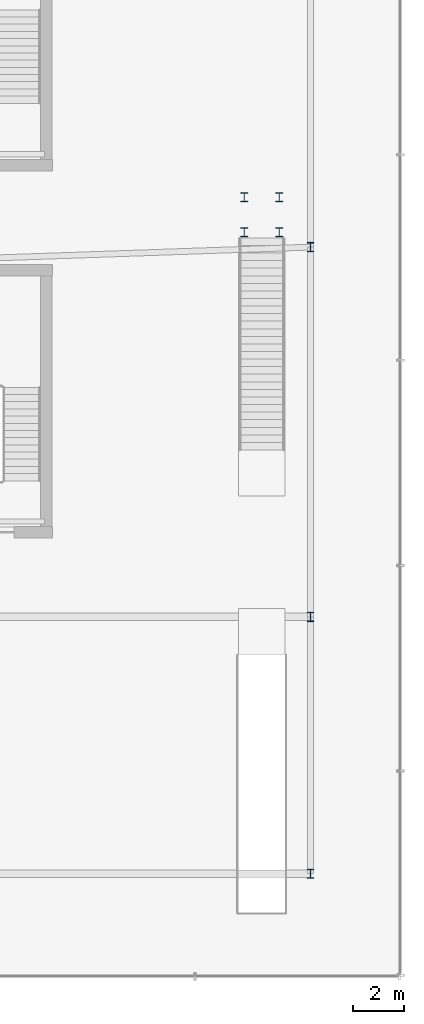
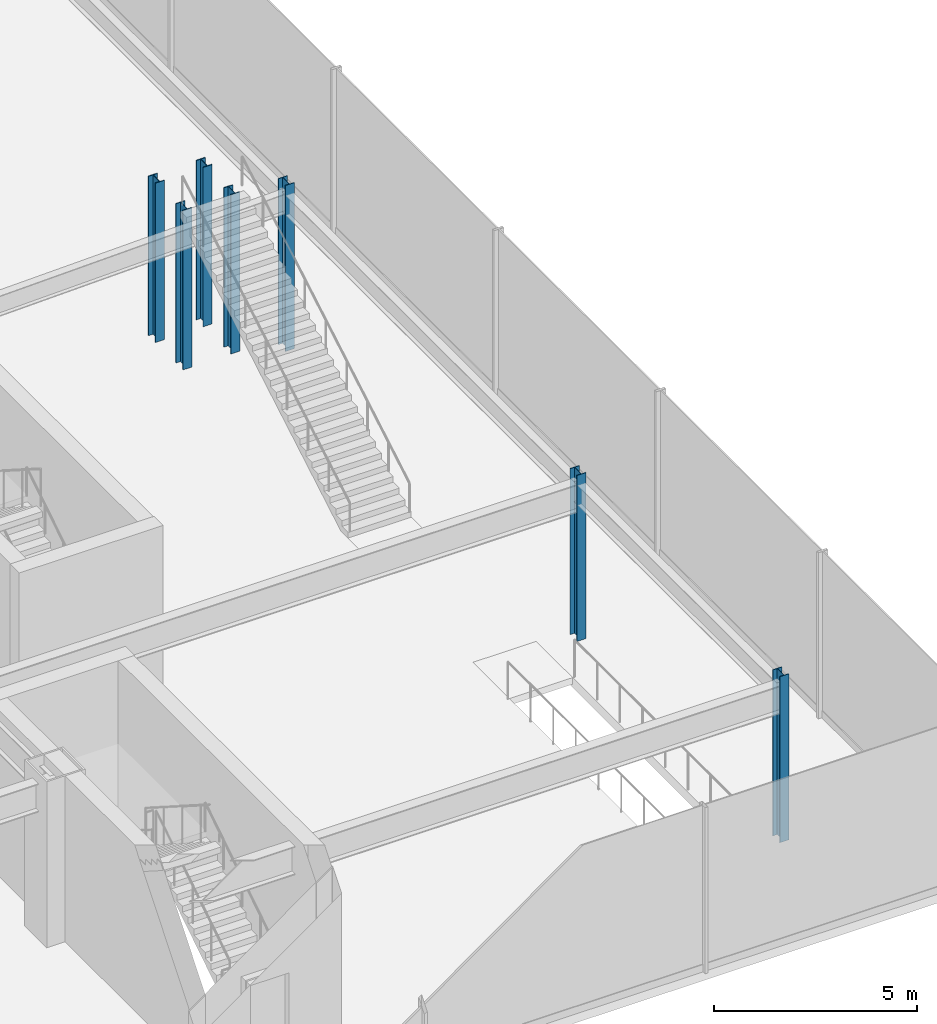
# One storey, part 4 of 40: 7 columns.
"""IFC4 building model written with IfcOpenShell, lengths in metres."""

import ifcopenshell
import ifcopenshell.guid

model = None  # the IFC model being written
_history = None  # IfcOwnerHistory: only IFC2X3 demands one
_inside = {}  # id of a spatial element -> (the spatial element, [elements in it])
_under = {}  # id of a project, library or spatial element -> (it, [spatial elements below it])
_declared = {}  # id of a project -> (the project, [libraries it declares])
_typed = {}  # id of a type object -> (the type object, [elements of that type])
_made_of = {}  # id of a material, layer set ... -> (it, [elements and type objects made of it])


def new_model(schema):
    """Start an empty IFC model of exactly this schema.

    Asked for "IFC4X3", IfcOpenShell would pick the latest addendum, in which some entities
    have other attributes; the version numbers below select the first issue.
    IFC2X3 requires an IfcOwnerHistory on every rooted entity: one is made here for all.
    """
    global model, _history
    if schema == "IFC4X3":
        model = ifcopenshell.file(schema_version=(4, 3, 0, 0))
    else:
        model = ifcopenshell.file(schema=schema)
    _inside.clear()
    _under.clear()
    _declared.clear()
    _typed.clear()
    _made_of.clear()
    _history = None
    if model.schema == "IFC2X3":
        org = make("IfcOrganization", Name="unknown")
        user = make(
            "IfcPersonAndOrganization",
            ThePerson=make("IfcPerson", FamilyName="unknown"),
            TheOrganization=org,
        )
        app = make(
            "IfcApplication",
            ApplicationDeveloper=org,
            Version="unknown",
            ApplicationFullName="unknown",
            ApplicationIdentifier="unknown",
        )
        _history = make(
            "IfcOwnerHistory",
            OwningUser=user,
            OwningApplication=app,
            ChangeAction="ADDED",
            CreationDate=0,
        )
    return model


def make(cls, **values):
    """One entity of the class cls with the attributes given. An attribute that is None is left unset."""
    return model.create_entity(
        cls, **{name: value for name, value in values.items() if value is not None}
    )


def rooted(cls, **values):
    """An entity with a GlobalId (a new one), such as an element, a storey or a relation."""
    return make(cls, GlobalId=ifcopenshell.guid.new(), OwnerHistory=_history, **values)


def si_unit(unit_type, name, prefix=None):
    """IfcSIUnit, for example si_unit("LENGTHUNIT", "METRE", prefix="MILLI")."""
    return make("IfcSIUnit", UnitType=unit_type, Prefix=prefix, Name=name)


def derived_unit(unit_type, elements):
    """IfcDerivedUnit: a product of units, each with its exponent."""
    return make(
        "IfcDerivedUnit",
        Elements=[
            make("IfcDerivedUnitElement", Unit=unit, Exponent=power)
            for unit, power in elements
        ],
        UnitType=unit_type,
    )


def assignment(units):
    """IfcUnitAssignment: the units of a project."""
    return None if units is None else make("IfcUnitAssignment", Units=units)


def point(xyz):
    """IfcCartesianPoint."""
    return None if xyz is None else make("IfcCartesianPoint", Coordinates=xyz)


def direction(xyz):
    """IfcDirection."""
    return None if xyz is None else make("IfcDirection", DirectionRatios=xyz)


def frame(location, z_axis=None, x_axis=None):
    """IfcAxis2Placement3D, a coordinate frame: its origin and axes. An axis left out is left unset."""
    return make(
        "IfcAxis2Placement3D",
        Location=point(location),
        Axis=direction(z_axis),
        RefDirection=direction(x_axis),
    )


def frame_2d(location, x_axis=None):
    """IfcAxis2Placement2D, a coordinate frame in the plane: its origin and x axis."""
    return make(
        "IfcAxis2Placement2D", Location=point(location), RefDirection=direction(x_axis)
    )


def origin():
    """The frame at (0, 0, 0) with its axes left unset."""
    return frame((0.0, 0.0, 0.0))


def origin_2d():
    """The frame at (0, 0) in the plane with its x axis left unset."""
    return frame_2d((0.0, 0.0))


def place(relative_to, where):
    """IfcLocalPlacement: puts the frame where relative to a parent placement (None: the world)."""
    return make(
        "IfcLocalPlacement", PlacementRelTo=relative_to, RelativePlacement=where
    )


def context(
    kind, dimensions, precision=None, world=None, true_north=None, identifier=None
):
    """IfcGeometricRepresentationContext, for example the 3D "Model" context."""
    return make(
        "IfcGeometricRepresentationContext",
        ContextIdentifier=identifier,
        ContextType=kind,
        CoordinateSpaceDimension=dimensions,
        Precision=precision,
        WorldCoordinateSystem=world,
        TrueNorth=true_north,
    )


def subcontext(parent, identifier, kind, view, scale=None):
    """IfcGeometricRepresentationSubContext, for example "Body" below "Model"."""
    return make(
        "IfcGeometricRepresentationSubContext",
        ContextIdentifier=identifier,
        ContextType=kind,
        ParentContext=parent,
        TargetScale=scale,
        TargetView=view,
    )


def project(units=None, contexts=None):
    """IfcProject with its units and contexts."""
    return rooted(
        "IfcProject",
        Name="project",
        RepresentationContexts=contexts,
        UnitsInContext=assignment(units),
    )


def spatial(cls, under=None, at=None, **own):
    """A site, building, storey or space (cls), placed at a placement, below another one or the project."""
    s = rooted(cls, ObjectPlacement=at, **own)
    if under is not None:
        _under.setdefault(under.id(), (under, []))[1].append(s)
    return s


def profile(cls, at=None, kind="AREA", **sizes):
    """A parametric profile (cls). Its sizes go by their IFC names, for example OverallWidth=200.0."""
    return make(cls, ProfileType=kind, Position=at, **sizes)


def i_section(**sizes):
    """IfcIShapeProfileDef."""
    return profile("IfcIShapeProfileDef", **sizes)


def extrude(swept, where, along, depth):
    """IfcExtrudedAreaSolid: the profile swept, set in the frame where, extruded along a direction by depth."""
    return make(
        "IfcExtrudedAreaSolid",
        SweptArea=swept,
        Position=where,
        ExtrudedDirection=direction(along),
        Depth=depth,
    )


def shape(context_of_items, identifier, shape_type, items):
    """IfcShapeRepresentation: the items that make up one representation, for example the "Body"."""
    return make(
        "IfcShapeRepresentation",
        ContextOfItems=context_of_items,
        RepresentationIdentifier=identifier,
        RepresentationType=shape_type,
        Items=items,
    )


def source(mapping_origin, context_of_items, identifier, shape_type, items):
    """IfcRepresentationMap: a shape defined once, which mapped items show again and again."""
    return make(
        "IfcRepresentationMap",
        MappingOrigin=mapping_origin,
        MappedRepresentation=shape(context_of_items, identifier, shape_type, items),
    )


def transform(
    local_origin,
    x_axis=None,
    y_axis=None,
    z_axis=None,
    scale=None,
    scale2=None,
    scale3=None,
    uniform=True,
):
    """IfcCartesianTransformationOperator3D, or its non-uniform kind. x_axis, y_axis, z_axis: its Axis1, 2, 3."""
    if uniform:
        return make(
            "IfcCartesianTransformationOperator3D",
            Axis1=direction(x_axis),
            Axis2=direction(y_axis),
            LocalOrigin=point(local_origin),
            Scale=scale,
            Axis3=direction(z_axis),
        )
    return make(
        "IfcCartesianTransformationOperator3DnonUniform",
        Axis1=direction(x_axis),
        Axis2=direction(y_axis),
        LocalOrigin=point(local_origin),
        Scale=scale,
        Axis3=direction(z_axis),
        Scale2=scale2,
        Scale3=scale3,
    )


def mapped(mapping_source, mapping_target):
    """IfcMappedItem: shows the shape of a source again, moved by a transform."""
    return make(
        "IfcMappedItem", MappingSource=mapping_source, MappingTarget=mapping_target
    )


def material(Name=None, Category=None):
    """IfcMaterial."""
    return make("IfcMaterial", Name=Name, Category=Category)


def material_profile(
    of_material, cross_section, Name=None, Category=None, Priority=None
):
    """IfcMaterialProfile: a cross section and its material."""
    return make(
        "IfcMaterialProfile",
        Name=Name,
        Material=of_material,
        Profile=cross_section,
        Priority=Priority,
        Category=Category,
    )


def profile_set(profiles, Name=None, composite=None):
    """IfcMaterialProfileSet."""
    return make(
        "IfcMaterialProfileSet",
        Name=Name,
        MaterialProfiles=profiles,
        CompositeProfile=composite,
    )


def made_of(thing, what):
    """Note that an element or type object is made of a material, layer set ...; save() writes the relation."""
    if what is not None:
        _made_of.setdefault(what.id(), (what, []))[1].append(thing)
    return thing


def type_object(cls, material=None, **own):
    """A type object (cls), such as IfcWallType, which elements share."""
    return made_of(rooted(cls, **own), material)


def element(
    cls,
    number,
    at=None,
    inside=None,
    cuts=None,
    type_object=None,
    material=None,
    context=None,
    identifier="Body",
    shape_type=None,
    held_by="IfcProductDefinitionShape",
    body=None,
    shapes=None,
    **own,
):
    """One element of the class cls, such as IfcWall. Its Tag is "e" and its number.

    at: its placement. inside: the storey or other place that contains it. cuts: it is an
    opening in that element (IfcRelVoidsElement). A single representation is given by context,
    identifier, shape_type and body (its items); several are given by shapes. held_by: the class
    of the entity that holds the representations. save() writes the other relations.
    """
    e = rooted(cls, Tag="e%d" % number, ObjectPlacement=at, **own)
    if body is not None:
        shapes = [shape(context, identifier, shape_type, body)]
    if shapes is not None:
        e.Representation = make(held_by, Representations=shapes)
    if inside is not None:
        _inside.setdefault(inside.id(), (inside, []))[1].append(e)
    if cuts is not None:
        rooted(
            "IfcRelVoidsElement", RelatingBuildingElement=cuts, RelatedOpeningElement=e
        )
    if type_object is not None:
        _typed.setdefault(type_object.id(), (type_object, []))[1].append(e)
    return made_of(e, material)


def aggregate(whole, parts):
    """IfcRelAggregates: a whole, such as a stair, and the parts it consists of."""
    return rooted("IfcRelAggregates", RelatingObject=whole, RelatedObjects=parts)


def save(model, path):
    """Write the relations noted so far, then the file.

    IfcRelAggregates (storeys below a building ...), IfcRelContainedInSpatialStructure (elements
    in a storey), IfcRelDefinesByType, IfcRelAssociatesMaterial and IfcRelDeclares: one each for
    every whole, place, type object, material and project.
    """
    for whole, parts in _under.values():
        aggregate(whole, parts)
    for where, things in _inside.values():
        rooted(
            "IfcRelContainedInSpatialStructure",
            RelatedElements=things,
            RelatingStructure=where,
        )
    for kind, things in _typed.values():
        rooted("IfcRelDefinesByType", RelatedObjects=things, RelatingType=kind)
    for what, things in _made_of.values():
        rooted("IfcRelAssociatesMaterial", RelatedObjects=things, RelatingMaterial=what)
    for by, libraries in _declared.values():
        rooted("IfcRelDeclares", RelatingContext=by, RelatedDefinitions=libraries)
    model.write(path)


model = new_model("IFC4")

# Units and contexts
model_context = context("Model", 3, precision=1e-05, world=origin(), true_north=direction((0.0, 1.0)))
body_context = subcontext(model_context, "Body", "Model", "MODEL_VIEW")
ifc_project = project(units=[si_unit("LENGTHUNIT", "METRE"), si_unit("AREAUNIT", "SQUARE_METRE"), si_unit("VOLUMEUNIT", "CUBIC_METRE"), si_unit("PLANEANGLEUNIT", "RADIAN"), si_unit("MASSUNIT", "GRAM", prefix="KILO"), derived_unit("THERMALTRANSMITTANCEUNIT", [(si_unit("POWERUNIT", "WATT"), 1), (si_unit("LENGTHUNIT", "METRE"), -2), (si_unit("THERMODYNAMICTEMPERATUREUNIT", "KELVIN"), -1)])], contexts=[model_context])

# Site, building, storey
site_placement = place(None, origin())
site = spatial("IfcSite", under=ifc_project, at=site_placement, CompositionType="ELEMENT")
building_placement = place(site_placement, origin())
building = spatial("IfcBuilding", under=site, at=building_placement, Name="Skarnbrae Concourse Arena and Tower", CompositionType="ELEMENT")
storey_placement = place(building_placement, frame((0.0, 0.0, 6.0)))
storey = spatial("IfcBuildingStorey", under=building, at=storey_placement, Name="L01", CompositionType="ELEMENT", Elevation=6.0)

# Columns
ifc_material = material(Name="Steel CSA G40.21 350W", Category="steel")
ifc_material_profile = material_profile(ifc_material, i_section(OverallWidth=0.257080078125, OverallDepth=0.363037109375, WebThickness=0.012939453125, FlangeThickness=0.021728515625, at=origin_2d()), Name="W360X122")
ifc_profile_set = profile_set([ifc_material_profile], Name="Steel CSA G40.21 350W")
column_type = type_object("IfcColumnType", Name="COL-POD-W360X122", PredefinedType="COLUMN", material=ifc_profile_set)
shared_shape_1 = source(origin(), body_context, "Body", "SweptSolid", [
    extrude(i_section(OverallWidth=0.257080078125, OverallDepth=0.363037109375, WebThickness=0.012939453125, FlangeThickness=0.021728515625, at=origin_2d()), origin(), (0.0, 0.0, 1.0), 5.0),
])
for number, where, z_axis, x_axis, name in (
    (1, (78.5, 4.0, 0.0), (0.0, 0.0, 1.0), (1.0, 0.0, 0.0), "L01 Podium mega-column PC-EP1"),
    (2, (78.5, 14.0, 0.0), (0.0, 0.0, 1.0), (1.0, 0.0, 0.0), "L01 Podium mega-column PC-EP2"),
    (3, (78.5, 28.39990234375, 0.0), (0.0, 0.0, 1.0), (1.0, 0.0, 0.0), "L01 Podium mega-column PC-EP3"),
):
    element("IfcColumn", number, at=place(storey_placement, frame(where, z_axis=z_axis, x_axis=x_axis)), inside=storey, type_object=column_type, Name=name, PredefinedType="COLUMN", context=body_context, shape_type="MappedRepresentation", body=[
        mapped(shared_shape_1, transform((0.0, 0.0, 0.0))),
    ])
shared_shape_2 = source(origin(), body_context, "Body", "SweptSolid", [
    extrude(i_section(OverallWidth=0.257080078125, OverallDepth=0.363037109375, WebThickness=0.012939453125, FlangeThickness=0.021728515625, at=origin_2d()), origin(), (0.0, 0.0, 1.0), 4.800048828125),
])
for number, where, z_axis, x_axis, name in (
    (4, (75.919921875, 28.97998046875, 0.0), (0.0, 0.0, 1.0), (1.0, 0.0, 0.0), "L01 Concourse stair ST-CONC-1-L01 TOP post 11"),
    (5, (75.919921875, 30.340087890625, 0.0), (0.0, 0.0, 1.0), (1.0, 0.0, 0.0), "L01 Concourse stair ST-CONC-1-L01 TOP post 12"),
    (6, (77.280029296875, 28.97998046875, 0.0), (0.0, 0.0, 1.0), (1.0, 0.0, 0.0), "L01 Concourse stair ST-CONC-1-L01 TOP post 21"),
    (7, (77.280029296875, 30.340087890625, 0.0), (0.0, 0.0, 1.0), (1.0, 0.0, 0.0), "L01 Concourse stair ST-CONC-1-L01 TOP post 22"),
):
    element("IfcColumn", number, at=place(storey_placement, frame(where, z_axis=z_axis, x_axis=x_axis)), inside=storey, type_object=column_type, Name=name, PredefinedType="COLUMN", context=body_context, shape_type="MappedRepresentation", body=[
        mapped(shared_shape_2, transform((0.0, 0.0, 0.0))),
    ])

save(model, "model.ifc")
